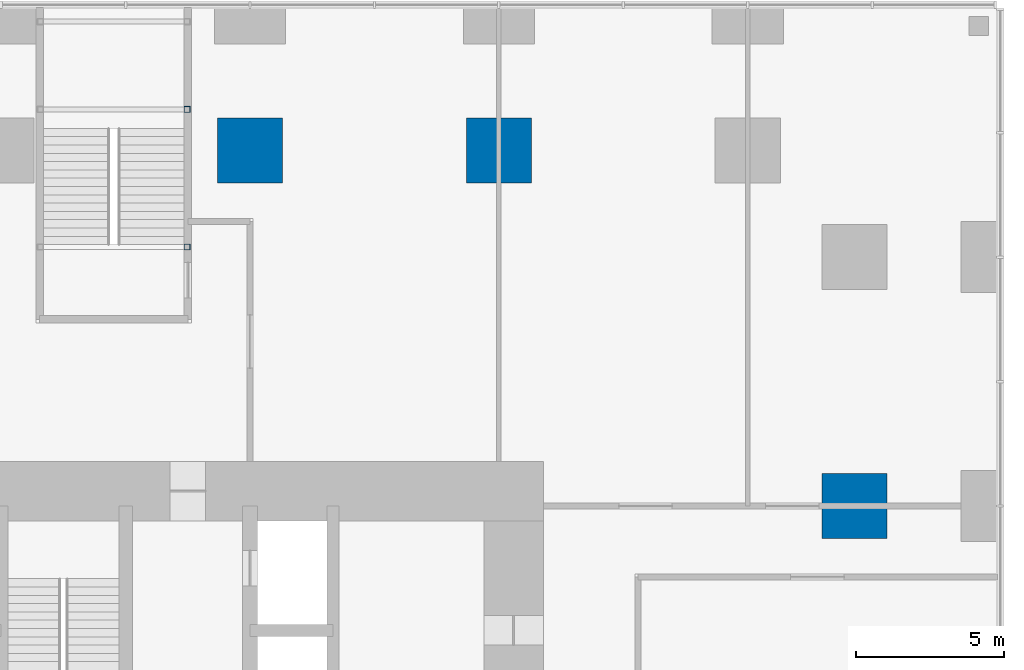
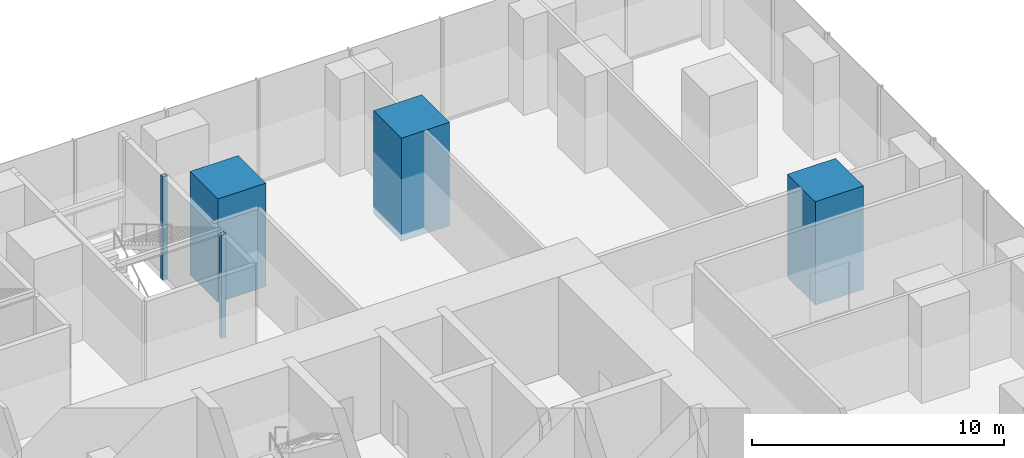
# One storey, part 10 of 33: 5 columns.
"""IFC4 building model written with IfcOpenShell, lengths in metres."""

from ifc_helpers import new_model, si_unit, direction, frame, origin, origin_2d, place, context, subcontext, project, spatial, rectangle, hollow_rectangle, extrude, material, material_profile, profile_set, type_object, element, save


model = new_model("IFC4")

# Units and contexts
model_context = context("Model", 3, precision=1e-05, world=origin(), true_north=direction((0.0, 1.0)))
body_context = subcontext(model_context, "Body", "Model", "MODEL_VIEW")
ifc_project = project(units=[si_unit("LENGTHUNIT", "METRE"), si_unit("AREAUNIT", "SQUARE_METRE"), si_unit("VOLUMEUNIT", "CUBIC_METRE"), si_unit("PLANEANGLEUNIT", "RADIAN"), si_unit("MASSUNIT", "GRAM", prefix="KILO")], contexts=[model_context])

# Site, building, storey
site_placement = place(None, origin())
site = spatial("IfcSite", under=ifc_project, at=site_placement, CompositionType="ELEMENT")
building_placement = place(site_placement, origin())
building = spatial("IfcBuilding", under=site, at=building_placement, Name="Dunama Terrace Hotel", CompositionType="ELEMENT")
storey_placement = place(building_placement, frame((0.0, 0.0, 12.0)))
storey = spatial("IfcBuildingStorey", under=building, at=storey_placement, Name="L02", CompositionType="ELEMENT", Elevation=12.0)

# Columns
ifc_material_1 = material(Name="Concrete C60/75", Category="concrete")
ifc_material_profile_1 = material_profile(ifc_material_1, rectangle(XDim=2.199951171875, YDim=2.199951171875, at=origin_2d()), Name="RC 2200x2200")
ifc_profile_set_1 = profile_set([ifc_material_profile_1], Name="Concrete C60/75")
column_type_1 = type_object("IfcColumnType", Name="Column RC 2200x2200", PredefinedType="COLUMN", material=ifc_profile_set_1)
for number, where, z_axis, x_axis, name in (
    (1, (33.60009765625, 54.0, -0.300048828125), (0.0, 0.0, 1.0), (1.0, 0.0, 0.0), "Column L02 +33.6/+54.0"),
    (2, (42.0, 54.0, -0.300048828125), (0.0, 0.0, 1.0), (1.0, 0.0, 0.0), "Column L02 +42.0/+54.0"),
    (3, (54.0, 42.0, -0.300048828125), (0.0, 0.0, 1.0), (1.0, 0.0, 0.0), "Column L02 +54.0/+42.0"),
):
    element("IfcColumn", number, at=place(storey_placement, frame(where, z_axis=z_axis, x_axis=x_axis)), inside=storey, type_object=column_type_1, Name=name, PredefinedType="COLUMN", context=body_context, shape_type="SweptSolid", body=[
        extrude(rectangle(XDim=2.199951171875, YDim=2.199951171875, at=origin_2d()), origin(), (0.0, 0.0, 1.0), 5.0),
    ])
ifc_material_2 = material(Name="Steel S355", Category="steel")
ifc_material_profile_2 = material_profile(ifc_material_2, hollow_rectangle(XDim=0.199951171875, YDim=0.199951171875, WallThickness=0.010009765625, at=origin_2d()), Name="SHS 200x200x10")
ifc_profile_set_2 = profile_set([ifc_material_profile_2], Name="Steel S355")
column_type_2 = type_object("IfcColumnType", Name="Stair post SHS 200x200x10", PredefinedType="COLUMN", material=ifc_profile_set_2)
for number, where, z_axis, x_axis, name in (
    (4, (31.47509765625, 50.742431640625, -0.300048828125), (0.0, 0.0, 1.0), (1.0, 0.0, 0.0), "Stair post P6 L02 +31.48/+50.74"),
    (5, (31.47509765625, 55.387451171875, -0.300048828125), (0.0, 0.0, 1.0), (1.0, 0.0, 0.0), "Stair post P6 L02 +31.48/+55.39"),
):
    element("IfcColumn", number, at=place(storey_placement, frame(where, z_axis=z_axis, x_axis=x_axis)), inside=storey, type_object=column_type_2, Name=name, PredefinedType="COLUMN", context=body_context, shape_type="SweptSolid", body=[
        extrude(hollow_rectangle(XDim=0.199951171875, YDim=0.199951171875, WallThickness=0.010009765625, at=origin_2d()), origin(), (0.0, 0.0, 1.0), 5.0),
    ])

save(model, "model.ifc")
